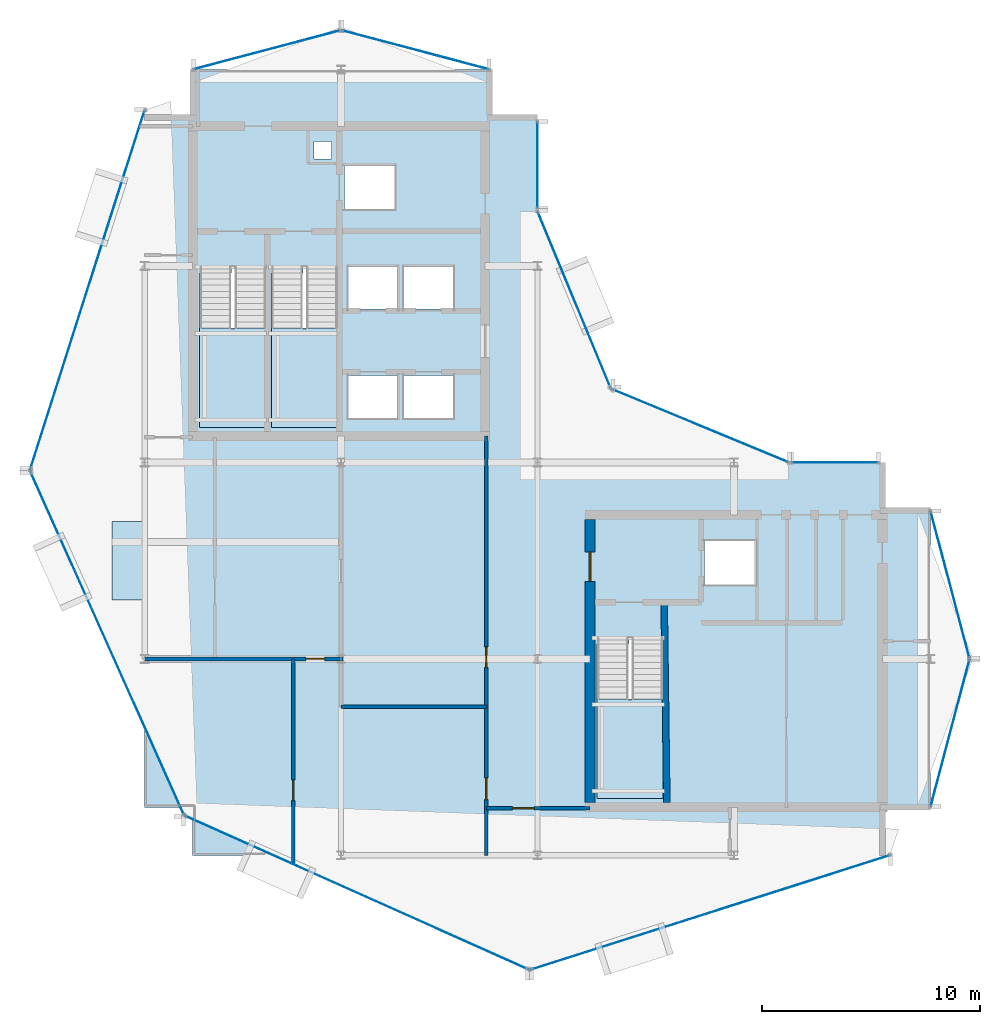
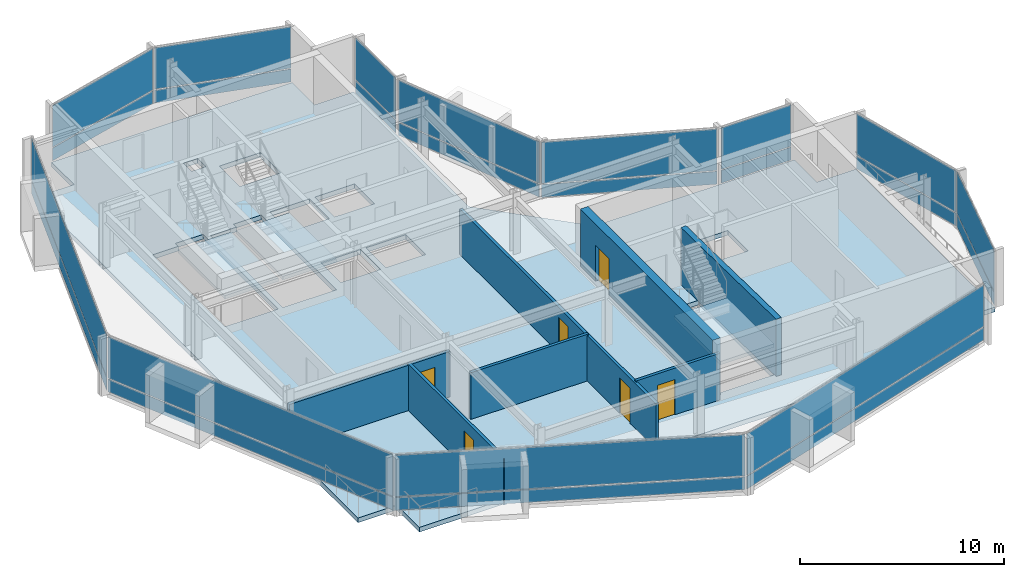
# One storey, part 13 of 19: 24 plates, 7 walls, 6 doors, 5 slabs, 6 openings, 15 elements without a shape of their own.
"""IFC4 building model written with IfcOpenShell, lengths in metres."""

from ifc_helpers import new_model, si_unit, direction, frame, frame_2d, origin, origin_2d, place, context, subcontext, project, spatial, polyline, rectangle, outline, extrude, material, layer, layer_set, type_object, element, fill, aggregate, save


model = new_model("IFC4")

# Units and contexts
model_context = context("Model", 3, precision=1e-05, world=origin(), true_north=direction((0.0, 1.0)))
body_context = subcontext(model_context, "Body", "Model", "MODEL_VIEW")
ifc_project = project(units=[si_unit("LENGTHUNIT", "METRE"), si_unit("AREAUNIT", "SQUARE_METRE"), si_unit("VOLUMEUNIT", "CUBIC_METRE"), si_unit("PLANEANGLEUNIT", "RADIAN"), si_unit("MASSUNIT", "GRAM", prefix="KILO")], contexts=[model_context])

# Site, building, storey
site_placement = place(None, origin())
site = spatial("IfcSite", under=ifc_project, at=site_placement, CompositionType="ELEMENT")
building_placement = place(site_placement, origin())
building = spatial("IfcBuilding", under=site, at=building_placement, Name="Solvaryn Broadcast Tower", CompositionType="ELEMENT")
storey_placement = place(building_placement, frame((0.0, 0.0, 259.300048828125)))
storey = spatial("IfcBuildingStorey", under=building, at=storey_placement, Name="L65", CompositionType="ELEMENT", Elevation=259.300048828125)

# Curtain wall, plates
ifc_material_1 = material(Name="Aluminium and Terracotta Unitised Curtain Wall", Category="masonry")
ifc_layer_1 = layer(ifc_material_1, 0.199951171875)
ifc_layer_set_1 = layer_set([ifc_layer_1], Name="CW-SYS2-LOWMID")
curtain_wall_type = type_object("IfcCurtainWallType", Name="CW-SYS2-LOWMID", PredefinedType="NOTDEFINED", material=ifc_layer_set_1)
curtain_wall_1_placement = place(storey_placement, origin())
curtain_wall_1 = element("IfcCurtainWall", 1, at=curtain_wall_1_placement, inside=storey, type_object=curtain_wall_type, Name="L65 Curtain Wall DR1", PredefinedType="NOTDEFINED")
ifc_material_2 = material(Name="Low-Iron Insulated Vision Glass", Category="glass")
ifc_layer_2 = layer(ifc_material_2, 0.035888671875)
ifc_layer_set_2 = layer_set([ifc_layer_2], Name="CW-PNL-VISION")
plate_type = type_object("IfcPlateType", Name="CW-PNL-VISION", PredefinedType="CURTAIN_PANEL", material=ifc_layer_set_2)
plate_1_placement = place(storey_placement, frame((6.368896484375, 34.892578125, 0.06005859375), z_axis=(0.0, 0.0, 1.0), x_axis=(-0.30361564569, -0.952794594701, 0.0)))
plate_1 = element("IfcPlate", 2, at=plate_1_placement, type_object=plate_type, Name="CWS2 panel 1.1", PredefinedType="CURTAIN_PANEL", context=body_context, shape_type="SweptSolid", body=[
    extrude(rectangle(XDim=17.211181640625, YDim=0.028076171875, at=origin_2d()), origin(), (0.0, 0.0, 1.0), 0.760009765625),
])
plate_2_placement = place(storey_placement, frame((6.368896484375, 34.892578125, 0.8798828125), z_axis=(0.0, 0.0, 1.0), x_axis=(-0.30361564569, -0.952794594701, 0.0)))
plate_2 = element("IfcPlate", 3, at=plate_2_placement, type_object=plate_type, Name="CWS2 panel 1.2", PredefinedType="CURTAIN_PANEL", context=body_context, shape_type="SweptSolid", body=[
    extrude(rectangle(XDim=17.211181640625, YDim=0.028076171875, at=origin_2d()), origin(), (0.0, 0.0, 1.0), 2.47998046875),
])
aggregate(curtain_wall_1, [plate_1, plate_2])

curtain_wall_2_placement = place(storey_placement, origin())
curtain_wall_2 = element("IfcCurtainWall", 4, at=curtain_wall_2_placement, inside=storey, type_object=curtain_wall_type, Name="L65 Curtain Wall DR2", PredefinedType="NOTDEFINED")
plate_3_placement = place(storey_placement, frame((7.277587890625, 18.7265625, 0.06005859375), z_axis=(0.0, 0.0, 1.0), x_axis=(0.408466010682, -0.912773530574, 0.0)))
plate_3 = element("IfcPlate", 5, at=plate_3_placement, type_object=plate_type, Name="CWS2 panel 1.1", PredefinedType="CURTAIN_PANEL", context=body_context, shape_type="SweptSolid", body=[
    extrude(rectangle(XDim=17.210693359375, YDim=0.028076171875, at=origin_2d()), origin(), (0.0, 0.0, 1.0), 0.760009765625),
])
plate_4_placement = place(storey_placement, frame((7.277587890625, 18.7265625, 0.8798828125), z_axis=(0.0, 0.0, 1.0), x_axis=(0.408466010682, -0.912773530574, 0.0)))
plate_4 = element("IfcPlate", 6, at=plate_4_placement, type_object=plate_type, Name="CWS2 panel 1.2", PredefinedType="CURTAIN_PANEL", context=body_context, shape_type="SweptSolid", body=[
    extrude(rectangle(XDim=17.210693359375, YDim=0.028076171875, at=origin_2d()), origin(), (0.0, 0.0, 1.0), 2.47998046875),
])
aggregate(curtain_wall_2, [plate_3, plate_4])

curtain_wall_3_placement = place(storey_placement, origin())
curtain_wall_3 = element("IfcCurtainWall", 7, at=curtain_wall_3_placement, inside=storey, type_object=curtain_wall_type, Name="L65 Curtain Wall DR3", PredefinedType="NOTDEFINED")
plate_5_placement = place(storey_placement, frame((18.7265625, 7.277587890625, 0.06005859375), z_axis=(0.0, 0.0, 1.0), x_axis=(0.912773530574, -0.408466010682, 0.0)))
plate_5 = element("IfcPlate", 8, at=plate_5_placement, type_object=plate_type, Name="CWS2 panel 1.1", PredefinedType="CURTAIN_PANEL", context=body_context, shape_type="SweptSolid", body=[
    extrude(rectangle(XDim=17.210693359375, YDim=0.028076171875, at=origin_2d()), origin(), (0.0, 0.0, 1.0), 0.760009765625),
])
plate_6_placement = place(storey_placement, frame((18.7265625, 7.277587890625, 0.8798828125), z_axis=(0.0, 0.0, 1.0), x_axis=(0.912773530574, -0.408466010682, 0.0)))
plate_6 = element("IfcPlate", 9, at=plate_6_placement, type_object=plate_type, Name="CWS2 panel 1.2", PredefinedType="CURTAIN_PANEL", context=body_context, shape_type="SweptSolid", body=[
    extrude(rectangle(XDim=17.210693359375, YDim=0.028076171875, at=origin_2d()), origin(), (0.0, 0.0, 1.0), 2.47998046875),
])
aggregate(curtain_wall_3, [plate_5, plate_6])

curtain_wall_4_placement = place(storey_placement, origin())
curtain_wall_4 = element("IfcCurtainWall", 10, at=curtain_wall_4_placement, inside=storey, type_object=curtain_wall_type, Name="L65 Curtain Wall DR4", PredefinedType="NOTDEFINED")
plate_7_placement = place(storey_placement, frame((34.892578125, 6.368896484375, 0.06005859375), z_axis=(0.0, 0.0, 1.0), x_axis=(0.952794594701, 0.30361564569, 0.0)))
plate_7 = element("IfcPlate", 11, at=plate_7_placement, type_object=plate_type, Name="CWS2 panel 1.1", PredefinedType="CURTAIN_PANEL", context=body_context, shape_type="SweptSolid", body=[
    extrude(rectangle(XDim=17.211181640625, YDim=0.028076171875, at=origin_2d()), origin(), (0.0, 0.0, 1.0), 0.760009765625),
])
plate_8_placement = place(storey_placement, frame((34.892578125, 6.368896484375, 0.8798828125), z_axis=(0.0, 0.0, 1.0), x_axis=(0.952794594701, 0.30361564569, 0.0)))
plate_8 = element("IfcPlate", 12, at=plate_8_placement, type_object=plate_type, Name="CWS2 panel 1.2", PredefinedType="CURTAIN_PANEL", context=body_context, shape_type="SweptSolid", body=[
    extrude(rectangle(XDim=17.211181640625, YDim=0.028076171875, at=origin_2d()), origin(), (0.0, 0.0, 1.0), 2.47998046875),
])
aggregate(curtain_wall_4, [plate_7, plate_8])

curtain_wall_5_placement = place(storey_placement, origin())
curtain_wall_5 = element("IfcCurtainWall", 13, at=curtain_wall_5_placement, inside=storey, type_object=curtain_wall_type, Name="L65 Curtain Wall IV", PredefinedType="NOTDEFINED")
plate_9_placement = place(storey_placement, frame((27.0, 40.625, 0.06005859375), z_axis=(0.0, 0.0, 1.0), x_axis=(0.0, -1.0, 0.0)))
plate_9 = element("IfcPlate", 14, at=plate_9_placement, type_object=plate_type, Name="CWS2 panel 1.1", PredefinedType="CURTAIN_PANEL", context=body_context, shape_type="SweptSolid", body=[
    extrude(rectangle(XDim=3.929931640625, YDim=0.028076171875, at=origin_2d()), origin(), (0.0, 0.0, 1.0), 0.760009765625),
])
plate_10_placement = place(storey_placement, frame((27.0, 40.625, 0.8798828125), z_axis=(0.0, 0.0, 1.0), x_axis=(0.0, -1.0, 0.0)))
plate_10 = element("IfcPlate", 15, at=plate_10_placement, type_object=plate_type, Name="CWS2 panel 1.2", PredefinedType="CURTAIN_PANEL", context=body_context, shape_type="SweptSolid", body=[
    extrude(rectangle(XDim=3.929931640625, YDim=0.028076171875, at=origin_2d()), origin(), (0.0, 0.0, 1.0), 2.47998046875),
])
aggregate(curtain_wall_5, [plate_9, plate_10])

curtain_wall_6_placement = place(storey_placement, origin())
curtain_wall_6 = element("IfcCurtainWall", 16, at=curtain_wall_6_placement, inside=storey, type_object=curtain_wall_type, Name="L65 Curtain Wall CN1", PredefinedType="NOTDEFINED")
plate_11_placement = place(storey_placement, frame((34.43408203125, 28.68408203125, 0.06005859375), z_axis=(0.0, 0.0, 1.0), x_axis=(-0.923894983957, 0.382646127145, 0.0)))
plate_11 = element("IfcPlate", 17, at=plate_11_placement, type_object=plate_type, Name="CWS2 panel 1.1", PredefinedType="CURTAIN_PANEL", context=body_context, shape_type="SweptSolid", body=[
    extrude(rectangle(XDim=8.681884765625, YDim=0.028076171875, at=origin_2d()), origin(), (0.0, 0.0, 1.0), 0.760009765625),
])
plate_12_placement = place(storey_placement, frame((34.43408203125, 28.68408203125, 0.8798828125), z_axis=(0.0, 0.0, 1.0), x_axis=(-0.923894983957, 0.382646127145, 0.0)))
plate_12 = element("IfcPlate", 18, at=plate_12_placement, type_object=plate_type, Name="CWS2 panel 1.2", PredefinedType="CURTAIN_PANEL", context=body_context, shape_type="SweptSolid", body=[
    extrude(rectangle(XDim=8.681884765625, YDim=0.028076171875, at=origin_2d()), origin(), (0.0, 0.0, 1.0), 2.47998046875),
])
aggregate(curtain_wall_6, [plate_11, plate_12])

curtain_wall_7_placement = place(storey_placement, origin())
curtain_wall_7 = element("IfcCurtainWall", 19, at=curtain_wall_7_placement, inside=storey, type_object=curtain_wall_type, Name="L65 Curtain Wall CN2", PredefinedType="NOTDEFINED")
plate_13_placement = place(storey_placement, frame((28.68408203125, 34.43408203125, 0.06005859375), z_axis=(0.0, 0.0, 1.0), x_axis=(-0.382646127145, 0.923894983957, 0.0)))
plate_13 = element("IfcPlate", 20, at=plate_13_placement, type_object=plate_type, Name="CWS2 panel 1.1", PredefinedType="CURTAIN_PANEL", context=body_context, shape_type="SweptSolid", body=[
    extrude(rectangle(XDim=8.681884765625, YDim=0.028076171875, at=origin_2d()), origin(), (0.0, 0.0, 1.0), 0.760009765625),
])
plate_14_placement = place(storey_placement, frame((28.68408203125, 34.43408203125, 0.8798828125), z_axis=(0.0, 0.0, 1.0), x_axis=(-0.382646127145, 0.923894983957, 0.0)))
plate_14 = element("IfcPlate", 21, at=plate_14_placement, type_object=plate_type, Name="CWS2 panel 1.2", PredefinedType="CURTAIN_PANEL", context=body_context, shape_type="SweptSolid", body=[
    extrude(rectangle(XDim=8.681884765625, YDim=0.028076171875, at=origin_2d()), origin(), (0.0, 0.0, 1.0), 2.47998046875),
])
aggregate(curtain_wall_7, [plate_13, plate_14])

curtain_wall_8_placement = place(storey_placement, origin())
curtain_wall_8 = element("IfcCurtainWall", 22, at=curtain_wall_8_placement, inside=storey, type_object=curtain_wall_type, Name="L65 Curtain Wall NT1", PredefinedType="NOTDEFINED")
plate_15_placement = place(storey_placement, frame((21.39990234375, 45.89990234375, 0.06005859375), z_axis=(0.0, 0.0, 1.0), x_axis=(-0.966705227863, 0.25589256031, 0.0)))
plate_15 = element("IfcPlate", 23, at=plate_15_placement, type_object=plate_type, Name="CWS2 panel 1.1", PredefinedType="CURTAIN_PANEL", context=body_context, shape_type="SweptSolid", body=[
    extrude(rectangle(XDim=6.914306640625, YDim=0.028076171875, at=origin_2d()), origin(), (0.0, 0.0, 1.0), 0.760009765625),
])
plate_16_placement = place(storey_placement, frame((21.39990234375, 45.89990234375, 0.8798828125), z_axis=(0.0, 0.0, 1.0), x_axis=(-0.966705227863, 0.25589256031, 0.0)))
plate_16 = element("IfcPlate", 24, at=plate_16_placement, type_object=plate_type, Name="CWS2 panel 1.2", PredefinedType="CURTAIN_PANEL", context=body_context, shape_type="SweptSolid", body=[
    extrude(rectangle(XDim=6.914306640625, YDim=0.028076171875, at=origin_2d()), origin(), (0.0, 0.0, 1.0), 2.47998046875),
])
aggregate(curtain_wall_8, [plate_15, plate_16])

curtain_wall_9_placement = place(storey_placement, origin())
curtain_wall_9 = element("IfcCurtainWall", 25, at=curtain_wall_9_placement, inside=storey, type_object=curtain_wall_type, Name="L65 Curtain Wall NT2", PredefinedType="NOTDEFINED")
plate_17_placement = place(storey_placement, frame((14.60009765625, 45.89990234375, 0.06005859375), z_axis=(0.0, 0.0, 1.0), x_axis=(-0.966705227863, -0.25589256031, 0.0)))
plate_17 = element("IfcPlate", 26, at=plate_17_placement, type_object=plate_type, Name="CWS2 panel 1.1", PredefinedType="CURTAIN_PANEL", context=body_context, shape_type="SweptSolid", body=[
    extrude(rectangle(XDim=6.914306640625, YDim=0.028076171875, at=origin_2d()), origin(), (0.0, 0.0, 1.0), 0.760009765625),
])
plate_18_placement = place(storey_placement, frame((14.60009765625, 45.89990234375, 0.8798828125), z_axis=(0.0, 0.0, 1.0), x_axis=(-0.966705227863, -0.25589256031, 0.0)))
plate_18 = element("IfcPlate", 27, at=plate_18_placement, type_object=plate_type, Name="CWS2 panel 1.2", PredefinedType="CURTAIN_PANEL", context=body_context, shape_type="SweptSolid", body=[
    extrude(rectangle(XDim=6.914306640625, YDim=0.028076171875, at=origin_2d()), origin(), (0.0, 0.0, 1.0), 2.47998046875),
])
aggregate(curtain_wall_9, [plate_17, plate_18])

curtain_wall_10_placement = place(storey_placement, origin())
curtain_wall_10 = element("IfcCurtainWall", 28, at=curtain_wall_10_placement, inside=storey, type_object=curtain_wall_type, Name="L65 Curtain Wall ET1", PredefinedType="NOTDEFINED")
plate_19_placement = place(storey_placement, frame((45.89990234375, 21.39990234375, 0.06005859375), z_axis=(0.0, 0.0, 1.0), x_axis=(0.25589256031, -0.966705227863, 0.0)))
plate_19 = element("IfcPlate", 29, at=plate_19_placement, type_object=plate_type, Name="CWS2 panel 1.1", PredefinedType="CURTAIN_PANEL", context=body_context, shape_type="SweptSolid", body=[
    extrude(rectangle(XDim=6.914306640625, YDim=0.028076171875, at=origin_2d()), origin(), (0.0, 0.0, 1.0), 0.760009765625),
])
plate_20_placement = place(storey_placement, frame((45.89990234375, 21.39990234375, 0.8798828125), z_axis=(0.0, 0.0, 1.0), x_axis=(0.25589256031, -0.966705227863, 0.0)))
plate_20 = element("IfcPlate", 30, at=plate_20_placement, type_object=plate_type, Name="CWS2 panel 1.2", PredefinedType="CURTAIN_PANEL", context=body_context, shape_type="SweptSolid", body=[
    extrude(rectangle(XDim=6.914306640625, YDim=0.028076171875, at=origin_2d()), origin(), (0.0, 0.0, 1.0), 2.47998046875),
])
aggregate(curtain_wall_10, [plate_19, plate_20])

curtain_wall_11_placement = place(storey_placement, origin())
curtain_wall_11 = element("IfcCurtainWall", 31, at=curtain_wall_11_placement, inside=storey, type_object=curtain_wall_type, Name="L65 Curtain Wall ET2", PredefinedType="NOTDEFINED")
plate_21_placement = place(storey_placement, frame((45.89990234375, 14.60009765625, 0.06005859375), z_axis=(0.0, 0.0, 1.0), x_axis=(-0.25589256031, -0.966705227863, 0.0)))
plate_21 = element("IfcPlate", 32, at=plate_21_placement, type_object=plate_type, Name="CWS2 panel 1.1", PredefinedType="CURTAIN_PANEL", context=body_context, shape_type="SweptSolid", body=[
    extrude(rectangle(XDim=6.914306640625, YDim=0.028076171875, at=origin_2d()), origin(), (0.0, 0.0, 1.0), 0.760009765625),
])
plate_22_placement = place(storey_placement, frame((45.89990234375, 14.60009765625, 0.8798828125), z_axis=(0.0, 0.0, 1.0), x_axis=(-0.25589256031, -0.966705227863, 0.0)))
plate_22 = element("IfcPlate", 33, at=plate_22_placement, type_object=plate_type, Name="CWS2 panel 1.2", PredefinedType="CURTAIN_PANEL", context=body_context, shape_type="SweptSolid", body=[
    extrude(rectangle(XDim=6.914306640625, YDim=0.028076171875, at=origin_2d()), origin(), (0.0, 0.0, 1.0), 2.47998046875),
])
aggregate(curtain_wall_11, [plate_21, plate_22])

curtain_wall_12_placement = place(storey_placement, origin())
curtain_wall_12 = element("IfcCurtainWall", 34, at=curtain_wall_12_placement, inside=storey, type_object=curtain_wall_type, Name="L65 Curtain Wall IH", PredefinedType="NOTDEFINED")
plate_23_placement = place(storey_placement, frame((40.625, 27.0, 0.06005859375), z_axis=(0.0, 0.0, 1.0), x_axis=(1.0, 0.0, 0.0)))
plate_23 = element("IfcPlate", 35, at=plate_23_placement, type_object=plate_type, Name="CWS2 panel 1.1", PredefinedType="CURTAIN_PANEL", context=body_context, shape_type="SweptSolid", body=[
    extrude(rectangle(XDim=3.929931640625, YDim=0.028076171875, at=origin_2d()), origin(), (0.0, 0.0, 1.0), 0.760009765625),
])
plate_24_placement = place(storey_placement, frame((40.625, 27.0, 0.8798828125), z_axis=(0.0, 0.0, 1.0), x_axis=(1.0, 0.0, 0.0)))
plate_24 = element("IfcPlate", 36, at=plate_24_placement, type_object=plate_type, Name="CWS2 panel 1.2", PredefinedType="CURTAIN_PANEL", context=body_context, shape_type="SweptSolid", body=[
    extrude(rectangle(XDim=3.929931640625, YDim=0.028076171875, at=origin_2d()), origin(), (0.0, 0.0, 1.0), 2.47998046875),
])
aggregate(curtain_wall_12, [plate_23, plate_24])

# Slab
ifc_material_3 = material(Name="Concrete f'c 60 MPa", Category="concrete")
ifc_layer_3 = layer(ifc_material_3, 0.2099609375)
ifc_layer_set_3 = layer_set([ifc_layer_3], Name="SL-BAYBOX-210")
slab_type_1 = type_object("IfcSlabType", Name="SL-BAYBOX-210", PredefinedType="FLOOR", material=ifc_layer_set_3)
slab_1_placement = place(storey_placement, frame((0.0, 0.0, -0.2099609375)))
element("IfcSlab", 37, at=slab_1_placement, inside=storey, type_object=slab_type_1, Name="L65 Projecting Bay-Box Slab 1", PredefinedType="FLOOR", context=body_context, shape_type="SweptSolid", body=[
    extrude(outline(polyline([(7.5, 20.699951171875), (9.0, 20.699951171875), (9.0, 24.300048828125), (7.5, 24.300048828125), (7.5, 20.699951171875)])), origin(), (0.0, 0.0, 1.0), 0.2099609375),
])

# Stair, slab
ifc_material_4 = material(Name="Concrete f'c 60 MPa", Category="concrete")
stair_type = type_object("IfcStairType", Name="ST-CORE", PredefinedType="HALF_TURN_STAIR", material=ifc_material_4)
stair_1_placement = place(storey_placement, origin())
stair_1 = element("IfcStair", 38, at=stair_1_placement, inside=storey, type_object=stair_type, Name="L65 ST1", PredefinedType="HALF_TURN_STAIR")
ifc_material_5 = material(Name="Concrete f'c 60 MPa", Category="concrete")
ifc_layer_4 = layer(ifc_material_5, 0.199951171875)
ifc_layer_set_4 = layer_set([ifc_layer_4], Name="SL-LANDING-200")
slab_type_2 = type_object("IfcSlabType", Name="SL-LANDING-200", PredefinedType="LANDING", material=ifc_layer_set_4)
slab_2_placement = place(storey_placement, frame((0.0, 0.0, 1.64990234375)))
slab_2 = element("IfcSlab", 39, at=slab_2_placement, type_object=slab_type_2, Name="ST1 landing 1", PredefinedType="LANDING", context=body_context, shape_type="SweptSolid", body=[
    extrude(outline(polyline([(11.52001953125, 33.159912109375), (11.52001953125, 28.60009765625), (14.550048828125, 28.60009765625), (14.550048828125, 33.159912109375), (11.52001953125, 33.159912109375)])), origin(), (0.0, 0.0, 1.0), 0.199951171875),
])
aggregate(stair_1, [slab_2])

stair_2_placement = place(storey_placement, origin())
stair_2 = element("IfcStair", 40, at=stair_2_placement, inside=storey, type_object=stair_type, Name="L65 ST2", PredefinedType="HALF_TURN_STAIR")
slab_3_placement = place(storey_placement, frame((0.0, 0.0, 1.64990234375)))
slab_3 = element("IfcSlab", 41, at=slab_3_placement, type_object=slab_type_2, Name="ST2 landing 1", PredefinedType="LANDING", context=body_context, shape_type="SweptSolid", body=[
    extrude(outline(polyline([(14.800048828125, 33.159912109375), (14.800048828125, 28.60009765625), (17.830078125, 28.60009765625), (17.830078125, 33.159912109375), (14.800048828125, 33.159912109375)])), origin(), (0.0, 0.0, 1.0), 0.199951171875),
])
aggregate(stair_2, [slab_3])

stair_3_placement = place(storey_placement, origin())
stair_3 = element("IfcStair", 42, at=stair_3_placement, inside=storey, type_object=stair_type, Name="L65 ST3", PredefinedType="HALF_TURN_STAIR")
slab_4_placement = place(storey_placement, frame((0.0, 0.0, 1.64990234375)))
slab_4 = element("IfcSlab", 43, at=slab_4_placement, type_object=slab_type_2, Name="ST3 landing 1", PredefinedType="LANDING", context=body_context, shape_type="SweptSolid", body=[
    extrude(outline(polyline([(29.719970703125, 16.159912109375), (29.719970703125, 11.60009765625), (32.75, 11.60009765625), (32.75, 16.159912109375), (29.719970703125, 16.159912109375)])), origin(), (0.0, 0.0, 1.0), 0.199951171875),
])
aggregate(stair_3, [slab_4])

# Slab
ifc_material_6 = material(Name="Concrete f'c 60 MPa", Category="concrete")
ifc_layer_5 = layer(ifc_material_6, 0.280029296875)
ifc_layer_set_5 = layer_set([ifc_layer_5], Name="SL-TWR-280")
slab_type_3 = type_object("IfcSlabType", Name="SL-TWR-280", PredefinedType="FLOOR", material=ifc_layer_set_5)
slab_5_placement = place(storey_placement, frame((0.0, 0.0, -0.280029296875)))
element("IfcSlab", 44, at=slab_5_placement, inside=storey, type_object=slab_type_3, Name="L65 Structural Floor Slab", PredefinedType="FLOOR", context=body_context, shape_type="SweptSolid", body=[
    extrude(outline(polyline([(11.199951171875, 9.0), (42.800048828125, 9.0), (42.800048828125, 11.199951171875), (45.0, 11.199951171875), (45.0, 24.800048828125), (42.800048828125, 24.800048828125), (42.800048828125, 27.0), (31.5, 27.0), (27.0, 31.5), (27.0, 42.800048828125), (24.800048828125, 42.800048828125), (24.800048828125, 45.0), (11.199951171875, 45.0), (11.199951171875, 42.800048828125), (9.0, 42.800048828125), (9.0, 11.199951171875), (11.199951171875, 11.199951171875), (11.199951171875, 9.0)]), holes=[polyline([(11.52001953125, 28.60009765625), (14.550048828125, 28.60009765625), (14.550048828125, 35.9599609375), (12.97998046875, 35.9599609375), (12.97998046875, 35.679931640625), (11.52001953125, 35.679931640625), (11.52001953125, 28.60009765625)]), polyline([(14.800048828125, 28.60009765625), (17.830078125, 28.60009765625), (17.830078125, 35.9599609375), (16.260009765625, 35.9599609375), (16.260009765625, 35.679931640625), (14.800048828125, 35.679931640625), (14.800048828125, 28.60009765625)]), polyline([(29.719970703125, 11.60009765625), (32.75, 11.60009765625), (32.75, 18.9599609375), (31.179931640625, 18.9599609375), (31.179931640625, 18.679931640625), (29.719970703125, 18.679931640625), (29.719970703125, 11.60009765625)]), polyline([(18.14990234375, 38.60009765625), (20.449951171875, 38.60009765625), (20.449951171875, 40.60009765625), (18.14990234375, 40.60009765625), (18.14990234375, 38.60009765625)]), polyline([(18.324951171875, 29.02490234375), (20.574951171875, 29.02490234375), (20.574951171875, 30.97509765625), (18.324951171875, 30.97509765625), (18.324951171875, 29.02490234375)]), polyline([(20.875, 29.02490234375), (23.125, 29.02490234375), (23.125, 30.97509765625), (20.875, 30.97509765625), (20.875, 29.02490234375)]), polyline([(18.324951171875, 34.02490234375), (20.574951171875, 34.02490234375), (20.574951171875, 35.97509765625), (18.324951171875, 35.97509765625), (18.324951171875, 34.02490234375)]), polyline([(20.875, 34.02490234375), (23.125, 34.02490234375), (23.125, 35.97509765625), (20.875, 35.97509765625), (20.875, 34.02490234375)]), polyline([(34.64990234375, 21.39990234375), (36.949951171875, 21.39990234375), (36.949951171875, 23.39990234375), (34.64990234375, 23.39990234375), (34.64990234375, 21.39990234375)]), polyline([(16.75, 40.89990234375), (17.550048828125, 40.89990234375), (17.550048828125, 41.699951171875), (16.75, 41.699951171875), (16.75, 40.89990234375)])]), origin(), (0.0, 0.0, 1.0), 0.280029296875),
])

# Wall, opening, door
ifc_material_7 = material(Name="Concrete f'c 70 MPa", Category="concrete")
ifc_layer_6 = layer(ifc_material_7, 0.449951171875)
ifc_layer_set_6 = layer_set([ifc_layer_6], Name="CW-SHEAR-450")
wall_type_1 = type_object("IfcWallType", Name="CW-SHEAR-450", PredefinedType="SHEAR", material=ifc_layer_set_6)
wall_1_placement = place(storey_placement, frame((29.39990234375, 24.375, 0.0), z_axis=(0.0, 0.0, 1.0), x_axis=(0.0, -1.0, 0.0)))
wall_1 = element("IfcWall", 45, at=wall_1_placement, inside=storey, type_object=wall_type_1, Name="L65 East Core West Shear Wall", PredefinedType="SHEAR", context=body_context, shape_type="SweptSolid", body=[
    extrude(rectangle(XDim=12.949951171875, YDim=0.449951171875, at=frame_2d((6.47509765625, 0.0))), origin(), (0.0, 0.0, 1.0), 3.419921875),
])
opening_1_placement = place(wall_1_placement, frame((1.47509765625, 0.0, 0.0)))
opening_1 = element("IfcOpeningElement", 46, at=opening_1_placement, cuts=wall_1, Name="Opening FD90B", PredefinedType="OPENING", context=body_context, shape_type="SweptSolid", body=[
    extrude(rectangle(XDim=1.35009765625, YDim=2.14990234375, at=frame_2d((0.675048828125, 1.074951171875))), frame((0.0, 0.235107421875, 0.0), z_axis=(0.0, -1.0, 0.0), x_axis=(1.0, 0.0, 0.0)), (0.0, 0.0, 1.0), 0.469970703125),
])
ifc_material_8 = material(Name="Flush Acoustic Steel and Timber Door Assembly", Category="steel")
door_type_1 = type_object("IfcDoorType", Name="FD90-LOBBY-1350X2150", OperationType="NOTDEFINED", PredefinedType="DOOR", material=ifc_material_8)
door_1_placement = place(opening_1_placement, origin())
door_1 = element("IfcDoor", 47, at=door_1_placement, inside=storey, type_object=door_type_1, Name="L65 East FSAE Lobby Door", OperationType="SINGLE_SWING_RIGHT", OverallHeight=2.14990234375, OverallWidth=1.35009765625, PredefinedType="DOOR", context=body_context, shape_type="SweptSolid", body=[
    extrude(rectangle(XDim=1.35009765625, YDim=2.14990234375, at=frame_2d((0.675048828125, 1.074951171875))), frame((0.0, 0.02490234375, 0.0), z_axis=(0.0, -1.0, 0.0), x_axis=(1.0, 0.0, 0.0)), (0.0, 0.0, 1.0), 0.050048828125),
])
fill(opening_1, door_1)

# Wall, openings, doors
ifc_material_9 = material(Name="Metal-Stud Gypsum Office Partition")
ifc_layer_7 = layer(ifc_material_9, 0.159912109375)
ifc_layer_set_7 = layer_set([ifc_layer_7], Name="IW-PART-160")
wall_type_2 = type_object("IfcWallType", Name="IW-PART-160", PredefinedType="PARTITIONING", material=ifc_layer_set_7)
wall_2_placement = place(storey_placement, frame((24.64990234375, 9.0, 0.0), z_axis=(0.0, 0.0, 1.0), x_axis=(0.0, 1.0, 0.0)))
wall_2 = element("IfcWall", 48, at=wall_2_placement, inside=storey, type_object=wall_type_2, Name="L65 Interior Partition IW-L65-SW-EB", PredefinedType="PARTITIONING", context=body_context, shape_type="SweptSolid", body=[
    extrude(rectangle(XDim=19.199951171875, YDim=0.159912109375, at=frame_2d((9.60009765625, 0.0))), origin(), (0.0, 0.0, 1.0), 2.70703125),
])
opening_2_placement = place(wall_2_placement, frame((8.60009765625, 0.0, 0.0)))
opening_2 = element("IfcOpeningElement", 49, at=opening_2_placement, cuts=wall_2, Name="Opening ID01", PredefinedType="OPENING", context=body_context, shape_type="SweptSolid", body=[
    extrude(rectangle(XDim=0.949951171875, YDim=2.10009765625, at=frame_2d((0.47509765625, 1.050048828125))), frame((0.0, 0.090087890625, 0.0), z_axis=(0.0, -1.0, 0.0), x_axis=(1.0, 0.0, 0.0)), (0.0, 0.0, 1.0), 0.179931640625),
])
opening_3_placement = place(wall_2_placement, frame((2.550048828125, 0.0, 0.0)))
opening_3 = element("IfcOpeningElement", 50, at=opening_3_placement, cuts=wall_2, Name="Opening ID02", PredefinedType="OPENING", context=body_context, shape_type="SweptSolid", body=[
    extrude(rectangle(XDim=1.0, YDim=2.10009765625, at=frame_2d((0.5, 1.050048828125))), frame((0.0, 0.090087890625, 0.0), z_axis=(0.0, -1.0, 0.0), x_axis=(1.0, 0.0, 0.0)), (0.0, 0.0, 1.0), 0.179931640625),
])
ifc_material_10 = material(Name="Flush Acoustic Steel and Timber Door Assembly", Category="steel")
door_type_2 = type_object("IfcDoorType", Name="ID-01-950X2100", OperationType="NOTDEFINED", PredefinedType="DOOR", material=ifc_material_10)
door_2_placement = place(opening_2_placement, origin())
door_2 = element("IfcDoor", 51, at=door_2_placement, inside=storey, type_object=door_type_2, Name="L65 Door DR-L65-SWL-E1", OperationType="SINGLE_SWING_RIGHT", OverallHeight=2.10009765625, OverallWidth=0.949951171875, PredefinedType="DOOR", context=body_context, shape_type="SweptSolid", body=[
    extrude(rectangle(XDim=0.949951171875, YDim=2.10009765625, at=frame_2d((0.47509765625, 1.050048828125))), frame((0.0, 0.02490234375, 0.0), z_axis=(0.0, -1.0, 0.0), x_axis=(1.0, 0.0, 0.0)), (0.0, 0.0, 1.0), 0.050048828125),
])
fill(opening_2, door_2)
ifc_material_11 = material(Name="Flush Acoustic Steel and Timber Door Assembly", Category="steel")
door_type_3 = type_object("IfcDoorType", Name="ID-02-1000X2100", OperationType="NOTDEFINED", PredefinedType="DOOR", material=ifc_material_11)
door_3_placement = place(opening_3_placement, origin())
door_3 = element("IfcDoor", 52, at=door_3_placement, inside=storey, type_object=door_type_3, Name="L65 Door DR-L65-SWL-E2", OperationType="SINGLE_SWING_LEFT", OverallHeight=2.10009765625, OverallWidth=1.0, PredefinedType="DOOR", context=body_context, shape_type="SweptSolid", body=[
    extrude(rectangle(XDim=1.0, YDim=2.10009765625, at=frame_2d((0.5, 1.050048828125))), frame((0.0, 0.02490234375, 0.0), z_axis=(0.0, -1.0, 0.0), x_axis=(1.0, 0.0, 0.0)), (0.0, 0.0, 1.0), 0.050048828125),
])
fill(opening_3, door_3)

# Wall
wall_3_placement = place(storey_placement, frame((18.0, 15.800048828125, 0.0), z_axis=(0.0, 0.0, 1.0), x_axis=(1.0, 0.0, 0.0)))
element("IfcWall", 53, at=wall_3_placement, inside=storey, type_object=wall_type_2, Name="L65 Interior Partition IW-L65-SW-RH", PredefinedType="PARTITIONING", context=body_context, shape_type="SweptSolid", body=[
    extrude(rectangle(XDim=6.64990234375, YDim=0.159912109375, at=frame_2d((3.324951171875, 0.0))), origin(), (0.0, 0.0, 1.0), 2.7890625),
])

# Wall, opening, door
wall_4_placement = place(storey_placement, frame((15.800048828125, 8.5869140625, 0.0), z_axis=(0.0, 0.0, 1.0), x_axis=(0.0, 1.0, 0.0)))
wall_4 = element("IfcWall", 54, at=wall_4_placement, inside=storey, type_object=wall_type_2, Name="L65 Interior Partition IW-L65-SW-SWV", PredefinedType="PARTITIONING", context=body_context, shape_type="SweptSolid", body=[
    extrude(rectangle(XDim=9.4130859375, YDim=0.159912109375, at=frame_2d((4.70654296875, 0.0))), origin(), (0.0, 0.0, 1.0), 2.7890625),
])
opening_4_placement = place(wall_4_placement, frame((2.9130859375, 0.0, 0.0)))
opening_4 = element("IfcOpeningElement", 55, at=opening_4_placement, cuts=wall_4, Name="Opening ID01", PredefinedType="OPENING", context=body_context, shape_type="SweptSolid", body=[
    extrude(rectangle(XDim=0.949951171875, YDim=2.10009765625, at=frame_2d((0.47509765625, 1.050048828125))), frame((0.0, 0.090087890625, 0.0), z_axis=(0.0, -1.0, 0.0), x_axis=(1.0, 0.0, 0.0)), (0.0, 0.0, 1.0), 0.179931640625),
])
door_4_placement = place(opening_4_placement, origin())
door_4 = element("IfcDoor", 56, at=door_4_placement, inside=storey, type_object=door_type_2, Name="L65 Door DR-L65-SWL-SW", OperationType="SINGLE_SWING_LEFT", OverallHeight=2.10009765625, OverallWidth=0.949951171875, PredefinedType="DOOR", context=body_context, shape_type="SweptSolid", body=[
    extrude(rectangle(XDim=0.949951171875, YDim=2.10009765625, at=frame_2d((0.47509765625, 1.050048828125))), frame((0.0, 0.02490234375, 0.0), z_axis=(0.0, -1.0, 0.0), x_axis=(1.0, 0.0, 0.0)), (0.0, 0.0, 1.0), 0.050048828125),
])
fill(opening_4, door_4)

wall_5_placement = place(storey_placement, frame((24.64990234375, 11.14990234375, 0.0), z_axis=(0.0, 0.0, 1.0), x_axis=(1.0, 0.0, 0.0)))
wall_5 = element("IfcWall", 57, at=wall_5_placement, inside=storey, type_object=wall_type_2, Name="L65 Interior Partition IW-L65-SC-N", PredefinedType="PARTITIONING", context=body_context, shape_type="SweptSolid", body=[
    extrude(rectangle(XDim=4.75, YDim=0.159912109375, at=frame_2d((2.375, 0.0))), origin(), (0.0, 0.0, 1.0), 2.7919921875),
])
opening_5_placement = place(wall_5_placement, frame((1.199951171875, 0.0, 0.0)))
opening_5 = element("IfcOpeningElement", 58, at=opening_5_placement, cuts=wall_5, Name="Opening ID02", PredefinedType="OPENING", context=body_context, shape_type="SweptSolid", body=[
    extrude(rectangle(XDim=1.0, YDim=2.10009765625, at=frame_2d((0.5, 1.050048828125))), frame((0.0, 0.090087890625, 0.0), z_axis=(0.0, -1.0, 0.0), x_axis=(1.0, 0.0, 0.0)), (0.0, 0.0, 1.0), 0.179931640625),
])
door_5_placement = place(opening_5_placement, origin())
door_5 = element("IfcDoor", 59, at=door_5_placement, inside=storey, type_object=door_type_3, Name="L65 Door DR-L65-SC0", OperationType="SINGLE_SWING_RIGHT", OverallHeight=2.10009765625, OverallWidth=1.0, PredefinedType="DOOR", context=body_context, shape_type="SweptSolid", body=[
    extrude(rectangle(XDim=1.0, YDim=2.10009765625, at=frame_2d((0.5, 1.050048828125))), frame((0.0, 0.02490234375, 0.0), z_axis=(0.0, -1.0, 0.0), x_axis=(1.0, 0.0, 0.0)), (0.0, 0.0, 1.0), 0.050048828125),
])
fill(opening_5, door_5)

ifc_material_12 = material(Name="Acoustic Metal-Stud Gypsum Partition")
ifc_layer_8 = layer(ifc_material_12, 0.179931640625)
ifc_layer_set_8 = layer_set([ifc_layer_8], Name="IW-PART-180")
wall_type_3 = type_object("IfcWallType", Name="IW-PART-180", PredefinedType="PARTITIONING", material=ifc_layer_set_8)
wall_6_placement = place(storey_placement, frame((9.0, 18.0, 0.0), z_axis=(0.0, 0.0, 1.0), x_axis=(1.0, 0.0, 0.0)))
wall_6 = element("IfcWall", 60, at=wall_6_placement, inside=storey, type_object=wall_type_3, Name="L65 Interior Partition IW-L65-SW-LH", PredefinedType="PARTITIONING", context=body_context, shape_type="SweptSolid", body=[
    extrude(rectangle(XDim=9.080078125, YDim=0.179931640625, at=frame_2d((4.5400390625, 0.0))), origin(), (0.0, 0.0, 1.0), 2.70703125),
])
opening_6_placement = place(wall_6_placement, frame((7.3798828125, 0.0, 0.0)))
opening_6 = element("IfcOpeningElement", 61, at=opening_6_placement, cuts=wall_6, Name="Opening ID07", PredefinedType="OPENING", context=body_context, shape_type="SweptSolid", body=[
    extrude(rectangle(XDim=0.860107421875, YDim=2.050048828125, at=frame_2d((0.43017578125, 1.02490234375))), frame((0.0, 0.099853515625, 0.0), z_axis=(0.0, -1.0, 0.0), x_axis=(1.0, 0.0, 0.0)), (0.0, 0.0, 1.0), 0.199951171875),
])
ifc_material_13 = material(Name="Flush Acoustic Steel and Timber Door Assembly", Category="steel")
door_type_4 = type_object("IfcDoorType", Name="ID-07-860X2050", OperationType="NOTDEFINED", PredefinedType="DOOR", material=ifc_material_13)
door_6_placement = place(opening_6_placement, origin())
door_6 = element("IfcDoor", 62, at=door_6_placement, inside=storey, type_object=door_type_4, Name="L65 Door DR-L65-SWL-LH", OperationType="SINGLE_SWING_RIGHT", OverallHeight=2.050048828125, OverallWidth=0.860107421875, PredefinedType="DOOR", context=body_context, shape_type="SweptSolid", body=[
    extrude(rectangle(XDim=0.860107421875, YDim=2.050048828125, at=frame_2d((0.43017578125, 1.02490234375))), frame((0.0, 0.02490234375, 0.0), z_axis=(0.0, -1.0, 0.0), x_axis=(1.0, 0.0, 0.0)), (0.0, 0.0, 1.0), 0.050048828125),
])
fill(opening_6, door_6)

# Wall
ifc_material_14 = material(Name="Concrete f'c 70 MPa", Category="concrete")
ifc_layer_9 = layer(ifc_material_14, 0.300048828125)
ifc_layer_set_9 = layer_set([ifc_layer_9], Name="SW-SHAFT-300")
wall_type_4 = type_object("IfcWallType", Name="SW-SHAFT-300", PredefinedType="SHEAR", material=ifc_layer_set_9)
wall_7_placement = place(storey_placement, frame((32.919921875, 11.425048828125, 0.0), z_axis=(0.0, 0.0, 1.0), x_axis=(-0.013135638869, 0.999913723774, 0.0)))
element("IfcWall", 63, at=wall_7_placement, inside=storey, type_object=wall_type_4, Name="L65 Stair 3 East Shear Wall", PredefinedType="SHEAR", context=body_context, shape_type="SweptSolid", body=[
    extrude(rectangle(XDim=9.125732421875, YDim=0.300048828125, at=frame_2d((4.56298828125, 0.0))), origin(), (0.0, 0.0, 1.0), 3.419921875),
])

save(model, "model.ifc")
